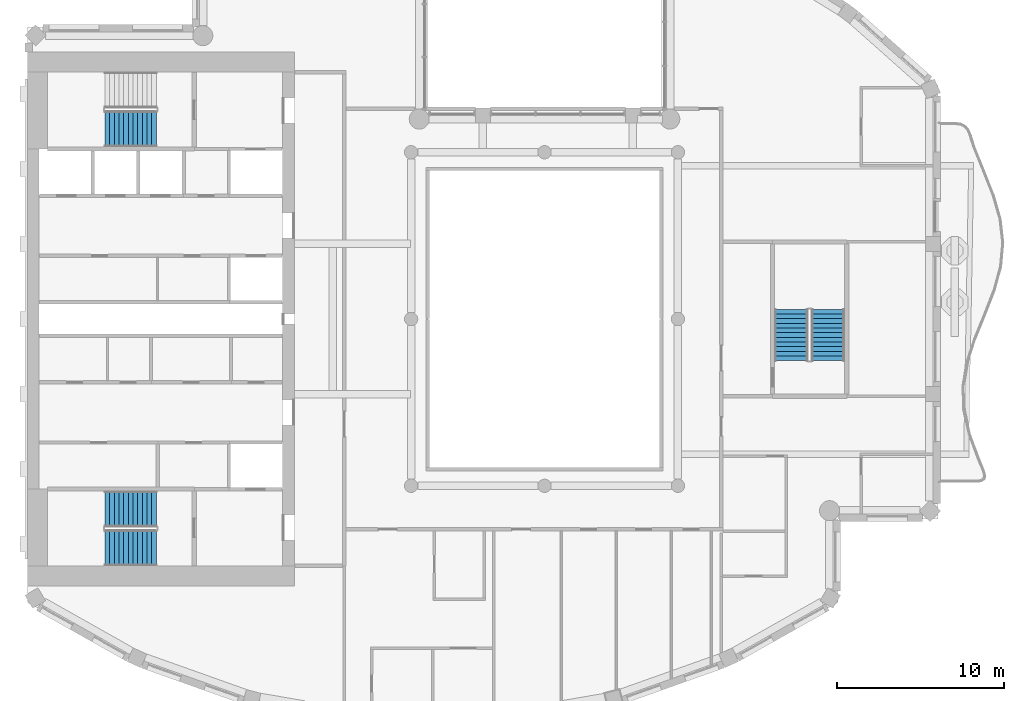
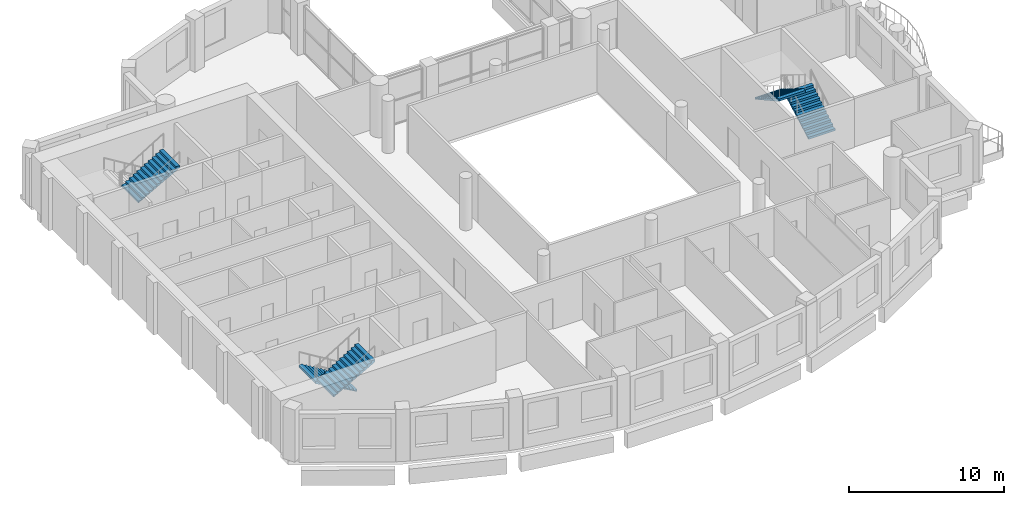
# One storey, part 8 of 14: 5 stair flights, 3 elements without a shape of their own.
"""IFC4 building model written with IfcOpenShell, lengths in metres."""

import ifcopenshell
import ifcopenshell.guid

model = None  # the IFC model being written
_history = None  # IfcOwnerHistory: only IFC2X3 demands one
_inside = {}  # id of a spatial element -> (the spatial element, [elements in it])
_under = {}  # id of a project, library or spatial element -> (it, [spatial elements below it])
_declared = {}  # id of a project -> (the project, [libraries it declares])
_typed = {}  # id of a type object -> (the type object, [elements of that type])
_made_of = {}  # id of a material, layer set ... -> (it, [elements and type objects made of it])


def new_model(schema):
    """Start an empty IFC model of exactly this schema.

    Asked for "IFC4X3", IfcOpenShell would pick the latest addendum, in which some entities
    have other attributes; the version numbers below select the first issue.
    IFC2X3 requires an IfcOwnerHistory on every rooted entity: one is made here for all.
    """
    global model, _history
    if schema == "IFC4X3":
        model = ifcopenshell.file(schema_version=(4, 3, 0, 0))
    else:
        model = ifcopenshell.file(schema=schema)
    _inside.clear()
    _under.clear()
    _declared.clear()
    _typed.clear()
    _made_of.clear()
    _history = None
    if model.schema == "IFC2X3":
        org = make("IfcOrganization", Name="unknown")
        user = make(
            "IfcPersonAndOrganization",
            ThePerson=make("IfcPerson", FamilyName="unknown"),
            TheOrganization=org,
        )
        app = make(
            "IfcApplication",
            ApplicationDeveloper=org,
            Version="unknown",
            ApplicationFullName="unknown",
            ApplicationIdentifier="unknown",
        )
        _history = make(
            "IfcOwnerHistory",
            OwningUser=user,
            OwningApplication=app,
            ChangeAction="ADDED",
            CreationDate=0,
        )
    return model


def make(cls, **values):
    """One entity of the class cls with the attributes given. An attribute that is None is left unset."""
    return model.create_entity(
        cls, **{name: value for name, value in values.items() if value is not None}
    )


def rooted(cls, **values):
    """An entity with a GlobalId (a new one), such as an element, a storey or a relation."""
    return make(cls, GlobalId=ifcopenshell.guid.new(), OwnerHistory=_history, **values)


def si_unit(unit_type, name, prefix=None):
    """IfcSIUnit, for example si_unit("LENGTHUNIT", "METRE", prefix="MILLI")."""
    return make("IfcSIUnit", UnitType=unit_type, Prefix=prefix, Name=name)


def assignment(units):
    """IfcUnitAssignment: the units of a project."""
    return None if units is None else make("IfcUnitAssignment", Units=units)


def point(xyz):
    """IfcCartesianPoint."""
    return None if xyz is None else make("IfcCartesianPoint", Coordinates=xyz)


def direction(xyz):
    """IfcDirection."""
    return None if xyz is None else make("IfcDirection", DirectionRatios=xyz)


def frame(location, z_axis=None, x_axis=None):
    """IfcAxis2Placement3D, a coordinate frame: its origin and axes. An axis left out is left unset."""
    return make(
        "IfcAxis2Placement3D",
        Location=point(location),
        Axis=direction(z_axis),
        RefDirection=direction(x_axis),
    )


def origin():
    """The frame at (0, 0, 0) with its axes left unset."""
    return frame((0.0, 0.0, 0.0))


def place(relative_to, where):
    """IfcLocalPlacement: puts the frame where relative to a parent placement (None: the world)."""
    return make(
        "IfcLocalPlacement", PlacementRelTo=relative_to, RelativePlacement=where
    )


def context(
    kind, dimensions, precision=None, world=None, true_north=None, identifier=None
):
    """IfcGeometricRepresentationContext, for example the 3D "Model" context."""
    return make(
        "IfcGeometricRepresentationContext",
        ContextIdentifier=identifier,
        ContextType=kind,
        CoordinateSpaceDimension=dimensions,
        Precision=precision,
        WorldCoordinateSystem=world,
        TrueNorth=true_north,
    )


def subcontext(parent, identifier, kind, view, scale=None):
    """IfcGeometricRepresentationSubContext, for example "Body" below "Model"."""
    return make(
        "IfcGeometricRepresentationSubContext",
        ContextIdentifier=identifier,
        ContextType=kind,
        ParentContext=parent,
        TargetScale=scale,
        TargetView=view,
    )


def project(units=None, contexts=None):
    """IfcProject with its units and contexts."""
    return rooted(
        "IfcProject",
        Name="project",
        RepresentationContexts=contexts,
        UnitsInContext=assignment(units),
    )


def spatial(cls, under=None, at=None, **own):
    """A site, building, storey or space (cls), placed at a placement, below another one or the project."""
    s = rooted(cls, ObjectPlacement=at, **own)
    if under is not None:
        _under.setdefault(under.id(), (under, []))[1].append(s)
    return s


def point_list(points):
    """IfcCartesianPointList2D or 3D."""
    cls = (
        "IfcCartesianPointList2D" if len(points[0]) == 2 else "IfcCartesianPointList3D"
    )
    return make(cls, CoordList=points)


def triangles(points, corners, closed=None, point_numbers=None):
    """IfcTriangulatedFaceSet: each triangle names its three corners, points numbered from 1."""
    return make(
        "IfcTriangulatedFaceSet",
        Coordinates=point_list(points),
        Closed=closed,
        CoordIndex=corners,
        PnIndex=point_numbers,
    )


def shape(context_of_items, identifier, shape_type, items):
    """IfcShapeRepresentation: the items that make up one representation, for example the "Body"."""
    return make(
        "IfcShapeRepresentation",
        ContextOfItems=context_of_items,
        RepresentationIdentifier=identifier,
        RepresentationType=shape_type,
        Items=items,
    )


def material(Name=None, Category=None):
    """IfcMaterial."""
    return make("IfcMaterial", Name=Name, Category=Category)


def made_of(thing, what):
    """Note that an element or type object is made of a material, layer set ...; save() writes the relation."""
    if what is not None:
        _made_of.setdefault(what.id(), (what, []))[1].append(thing)
    return thing


def type_object(cls, material=None, **own):
    """A type object (cls), such as IfcWallType, which elements share."""
    return made_of(rooted(cls, **own), material)


def element(
    cls,
    number,
    at=None,
    inside=None,
    cuts=None,
    type_object=None,
    material=None,
    context=None,
    identifier="Body",
    shape_type=None,
    held_by="IfcProductDefinitionShape",
    body=None,
    shapes=None,
    **own,
):
    """One element of the class cls, such as IfcWall. Its Tag is "e" and its number.

    at: its placement. inside: the storey or other place that contains it. cuts: it is an
    opening in that element (IfcRelVoidsElement). A single representation is given by context,
    identifier, shape_type and body (its items); several are given by shapes. held_by: the class
    of the entity that holds the representations. save() writes the other relations.
    """
    e = rooted(cls, Tag="e%d" % number, ObjectPlacement=at, **own)
    if body is not None:
        shapes = [shape(context, identifier, shape_type, body)]
    if shapes is not None:
        e.Representation = make(held_by, Representations=shapes)
    if inside is not None:
        _inside.setdefault(inside.id(), (inside, []))[1].append(e)
    if cuts is not None:
        rooted(
            "IfcRelVoidsElement", RelatingBuildingElement=cuts, RelatedOpeningElement=e
        )
    if type_object is not None:
        _typed.setdefault(type_object.id(), (type_object, []))[1].append(e)
    return made_of(e, material)


def aggregate(whole, parts):
    """IfcRelAggregates: a whole, such as a stair, and the parts it consists of."""
    return rooted("IfcRelAggregates", RelatingObject=whole, RelatedObjects=parts)


def save(model, path):
    """Write the relations noted so far, then the file.

    IfcRelAggregates (storeys below a building ...), IfcRelContainedInSpatialStructure (elements
    in a storey), IfcRelDefinesByType, IfcRelAssociatesMaterial and IfcRelDeclares: one each for
    every whole, place, type object, material and project.
    """
    for whole, parts in _under.values():
        aggregate(whole, parts)
    for where, things in _inside.values():
        rooted(
            "IfcRelContainedInSpatialStructure",
            RelatedElements=things,
            RelatingStructure=where,
        )
    for kind, things in _typed.values():
        rooted("IfcRelDefinesByType", RelatedObjects=things, RelatingType=kind)
    for what, things in _made_of.values():
        rooted("IfcRelAssociatesMaterial", RelatedObjects=things, RelatingMaterial=what)
    for by, libraries in _declared.values():
        rooted("IfcRelDeclares", RelatingContext=by, RelatedDefinitions=libraries)
    model.write(path)


model = new_model("IFC4")

# Units and contexts
model_context = context("Model", 3, precision=1e-05, world=origin(), true_north=direction((0.0, 1.0)))
body_context = subcontext(model_context, "Body", "Model", "MODEL_VIEW")
ifc_project = project(units=[si_unit("LENGTHUNIT", "METRE"), si_unit("AREAUNIT", "SQUARE_METRE"), si_unit("VOLUMEUNIT", "CUBIC_METRE"), si_unit("PLANEANGLEUNIT", "RADIAN"), si_unit("MASSUNIT", "GRAM", prefix="KILO")], contexts=[model_context])

# Site, building, storey
site_placement = place(None, origin())
site = spatial("IfcSite", under=ifc_project, at=site_placement, CompositionType="ELEMENT")
building_placement = place(site_placement, origin())
building = spatial("IfcBuilding", under=site, at=building_placement, Name="Cypress Arch Tower", CompositionType="ELEMENT")
storey_placement = place(building_placement, frame((0.0, 0.0, 325.39990234375)))
storey = spatial("IfcBuildingStorey", under=building, at=storey_placement, Name="L74", CompositionType="ELEMENT", Elevation=325.39990234375)

# Stair, stair flights
ifc_material_1 = material(Name="Concrete C40/50", Category="concrete")
stair_type_1 = type_object("IfcStairType", Name="Exit stair ES1708-200", PredefinedType="HALF_TURN_STAIR", material=ifc_material_1)
stair_1_placement = place(storey_placement, origin())
stair_1 = element("IfcStair", 1, at=stair_1_placement, inside=storey, type_object=stair_type_1, Name="L74 Exit stair C", PredefinedType="HALF_TURN_STAIR")
ifc_material_2 = material(Name="Concrete C40/50", Category="concrete")
stair_flight_type_1 = type_object("IfcStairFlightType", Name="Exit stair flight ES1708-200", PredefinedType="STRAIGHT", material=ifc_material_2)
stair_flight_1_placement = place(storey_placement, frame((18.0, -2.5, 0.0), z_axis=(0.0, 0.0, 1.0), x_axis=(0.0, 1.0, 0.0)))
stair_flight_1 = element("IfcStairFlight", 2, at=stair_flight_1_placement, type_object=stair_flight_type_1, Name="C flight 1", NumberOfRisers=12, NumberOfTreads=11, PredefinedType="STRAIGHT", RiserHeight=0.170833333, TreadLength=0.28, context=body_context, shape_type="Tessellation", body=[
    triangles([(0.0, -1.0, 0.0), (0.0, -1.0, 0.1708984375), (0.280029296875, -1.0, 0.1708984375), (0.280029296875, -1.0, 0.341552734375), (0.56005859375, -1.0, 0.341552734375), (0.56005859375, -1.0, 0.512451171875), (0.840087890625, -1.0, 0.512451171875), (0.840087890625, -1.0, 0.683349609375), (1.1201171875, -1.0, 0.683349609375), (1.1201171875, -1.0, 0.854248046875), (1.39990234375, -1.0, 0.854248046875), (1.39990234375, -1.0, 1.02490234375), (1.679931640625, -1.0, 1.02490234375), (1.679931640625, -1.0, 1.19580078125), (1.9599609375, -1.0, 1.19580078125), (1.9599609375, -1.0, 1.36669921875), (2.239990234375, -1.0, 1.36669921875), (2.239990234375, -1.0, 1.53759765625), (2.52001953125, -1.0, 1.53759765625), (2.52001953125, -1.0, 1.708251953125), (2.800048828125, -1.0, 1.708251953125), (2.800048828125, -1.0, 1.879150390625), (3.080078125, -1.0, 1.879150390625), (3.080078125, -1.0, 1.70361328125), (3.080078125, 1.0, 1.70361328125), (3.080078125, 1.0, 1.879150390625), (2.800048828125, 1.0, 1.879150390625), (2.800048828125, 1.0, 1.708251953125), (2.52001953125, 1.0, 1.708251953125), (2.52001953125, 1.0, 1.53759765625), (2.239990234375, 1.0, 1.53759765625), (2.239990234375, 1.0, 1.36669921875), (1.9599609375, 1.0, 1.36669921875), (1.9599609375, 1.0, 1.19580078125), (1.679931640625, 1.0, 1.19580078125), (1.679931640625, 1.0, 1.02490234375), (1.39990234375, 1.0, 1.02490234375), (1.39990234375, 1.0, 0.854248046875), (1.1201171875, 1.0, 0.854248046875), (1.1201171875, 1.0, 0.683349609375), (0.840087890625, 1.0, 0.683349609375), (0.840087890625, 1.0, 0.512451171875), (0.56005859375, 1.0, 0.512451171875), (0.56005859375, 1.0, 0.341552734375), (0.280029296875, 1.0, 0.341552734375), (0.280029296875, 1.0, 0.1708984375), (0.0, 1.0, 0.1708984375), (0.0, 1.0, 0.0), (3.080078125, 0.0, 1.879150390625), (3.080078125, 0.0, 1.70361328125), (2.800048828125, 0.0, 1.879150390625), (2.800048828125, 0.0, 1.708251953125), (2.52001953125, 0.0, 1.708251953125), (2.52001953125, 0.0, 1.53759765625), (2.239990234375, 0.0, 1.53759765625), (2.239990234375, 0.0, 1.36669921875), (1.9599609375, 0.0, 1.36669921875), (1.9599609375, 0.0, 1.19580078125), (1.679931640625, 0.0, 1.19580078125), (1.679931640625, 0.0, 1.02490234375), (1.39990234375, 0.0, 1.02490234375), (1.39990234375, 0.0, 0.854248046875), (1.1201171875, 0.0, 0.854248046875), (1.1201171875, 0.0, 0.683349609375), (0.840087890625, 0.0, 0.683349609375), (0.840087890625, 0.0, 0.512451171875), (0.56005859375, 0.0, 0.512451171875), (0.56005859375, 0.0, 0.341552734375), (0.280029296875, 0.0, 0.341552734375), (0.280029296875, 0.0, 0.1708984375), (0.0, 0.0, 0.1708984375), (0.0, 0.0, 0.0)], [[24, 23, 22], [11, 10, 9], [19, 18, 17], [17, 16, 15], [15, 14, 13], [9, 8, 7], [7, 6, 5], [3, 2, 1], [21, 20, 19], [13, 12, 11], [5, 4, 3], [24, 22, 21], [24, 21, 19], [24, 19, 17], [24, 17, 15], [24, 15, 13], [24, 13, 11], [24, 11, 9], [24, 9, 7], [24, 7, 5], [1, 24, 5], [5, 3, 1], [25, 27, 26], [38, 40, 39], [30, 32, 31], [32, 34, 33], [34, 36, 35], [40, 42, 41], [42, 44, 43], [46, 48, 47], [28, 30, 29], [36, 38, 37], [44, 46, 45], [25, 28, 27], [25, 30, 28], [25, 32, 30], [25, 34, 32], [25, 36, 34], [25, 38, 36], [25, 40, 38], [25, 42, 40], [25, 44, 42], [48, 44, 25], [44, 48, 46], [50, 49, 23], [50, 23, 24], [25, 26, 49], [25, 49, 50], [49, 51, 22], [49, 22, 23], [26, 27, 51], [26, 51, 49], [51, 52, 21], [51, 21, 22], [27, 28, 52], [27, 52, 51], [52, 53, 20], [52, 20, 21], [28, 29, 53], [28, 53, 52], [53, 54, 19], [53, 19, 20], [29, 30, 54], [29, 54, 53], [54, 55, 18], [54, 18, 19], [30, 31, 55], [30, 55, 54], [55, 56, 17], [55, 17, 18], [31, 32, 56], [31, 56, 55], [56, 57, 16], [56, 16, 17], [32, 33, 57], [32, 57, 56], [57, 58, 15], [57, 15, 16], [33, 34, 58], [33, 58, 57], [58, 59, 14], [58, 14, 15], [34, 35, 59], [34, 59, 58], [59, 60, 13], [59, 13, 14], [35, 36, 60], [35, 60, 59], [60, 61, 12], [60, 12, 13], [36, 37, 61], [36, 61, 60], [61, 62, 11], [61, 11, 12], [37, 38, 62], [37, 62, 61], [62, 63, 10], [62, 10, 11], [38, 39, 63], [38, 63, 62], [63, 64, 9], [63, 9, 10], [39, 40, 64], [39, 64, 63], [64, 65, 8], [64, 8, 9], [40, 41, 65], [40, 65, 64], [65, 66, 7], [65, 7, 8], [41, 42, 66], [41, 66, 65], [66, 67, 6], [66, 6, 7], [42, 43, 67], [42, 67, 66], [67, 68, 5], [67, 5, 6], [43, 44, 68], [43, 68, 67], [68, 69, 4], [68, 4, 5], [44, 45, 69], [44, 69, 68], [69, 70, 3], [69, 3, 4], [45, 46, 70], [45, 70, 69], [70, 71, 2], [70, 2, 3], [46, 47, 71], [46, 71, 70], [71, 72, 1], [71, 1, 2], [47, 48, 72], [47, 72, 71], [72, 50, 24], [72, 24, 1], [48, 25, 50], [48, 50, 72]], closed=True),
])
stair_flight_2_placement = place(storey_placement, frame((15.800048828125, 0.580078125, 2.050048828125), z_axis=(0.0, 0.0, 1.0), x_axis=(0.0, -1.0, 0.0)))
stair_flight_2 = element("IfcStairFlight", 3, at=stair_flight_2_placement, type_object=stair_flight_type_1, Name="C flight 2", NumberOfRisers=12, NumberOfTreads=11, PredefinedType="STRAIGHT", RiserHeight=0.170833333, TreadLength=0.28, context=body_context, shape_type="Tessellation", body=[
    triangles([(0.0, -1.0, 0.0), (0.0, -1.0, 0.1708984375), (0.280029296875, -1.0, 0.1708984375), (0.280029296875, -1.0, 0.341552734375), (0.56005859375, -1.0, 0.341552734375), (0.56005859375, -1.0, 0.512451171875), (0.840087890625, -1.0, 0.512451171875), (0.840087890625, -1.0, 0.683349609375), (1.1201171875, -1.0, 0.683349609375), (1.1201171875, -1.0, 0.854248046875), (1.39990234375, -1.0, 0.854248046875), (1.39990234375, -1.0, 1.02490234375), (1.679931640625, -1.0, 1.02490234375), (1.679931640625, -1.0, 1.19580078125), (1.9599609375, -1.0, 1.19580078125), (1.9599609375, -1.0, 1.36669921875), (2.239990234375, -1.0, 1.36669921875), (2.239990234375, -1.0, 1.53759765625), (2.52001953125, -1.0, 1.53759765625), (2.52001953125, -1.0, 1.708251953125), (2.800048828125, -1.0, 1.708251953125), (2.800048828125, -1.0, 1.879150390625), (3.080078125, -1.0, 1.879150390625), (3.080078125, -1.0, 1.70361328125), (3.080078125, 1.0, 1.70361328125), (3.080078125, 1.0, 1.879150390625), (2.800048828125, 1.0, 1.879150390625), (2.800048828125, 1.0, 1.708251953125), (2.52001953125, 1.0, 1.708251953125), (2.52001953125, 1.0, 1.53759765625), (2.239990234375, 1.0, 1.53759765625), (2.239990234375, 1.0, 1.36669921875), (1.9599609375, 1.0, 1.36669921875), (1.9599609375, 1.0, 1.19580078125), (1.679931640625, 1.0, 1.19580078125), (1.679931640625, 1.0, 1.02490234375), (1.39990234375, 1.0, 1.02490234375), (1.39990234375, 1.0, 0.854248046875), (1.1201171875, 1.0, 0.854248046875), (1.1201171875, 1.0, 0.683349609375), (0.840087890625, 1.0, 0.683349609375), (0.840087890625, 1.0, 0.512451171875), (0.56005859375, 1.0, 0.512451171875), (0.56005859375, 1.0, 0.341552734375), (0.280029296875, 1.0, 0.341552734375), (0.280029296875, 1.0, 0.1708984375), (0.0, 1.0, 0.1708984375), (0.0, 1.0, 0.0), (3.080078125, 0.0, 1.879150390625), (3.080078125, 0.0, 1.70361328125), (2.800048828125, 0.0, 1.879150390625), (2.800048828125, 0.0, 1.708251953125), (2.52001953125, 0.0, 1.708251953125), (2.52001953125, 0.0, 1.53759765625), (2.239990234375, 0.0, 1.53759765625), (2.239990234375, 0.0, 1.36669921875), (1.9599609375, 0.0, 1.36669921875), (1.9599609375, 0.0, 1.19580078125), (1.679931640625, 0.0, 1.19580078125), (1.679931640625, 0.0, 1.02490234375), (1.39990234375, 0.0, 1.02490234375), (1.39990234375, 0.0, 0.854248046875), (1.1201171875, 0.0, 0.854248046875), (1.1201171875, 0.0, 0.683349609375), (0.840087890625, 0.0, 0.683349609375), (0.840087890625, 0.0, 0.512451171875), (0.56005859375, 0.0, 0.512451171875), (0.56005859375, 0.0, 0.341552734375), (0.280029296875, 0.0, 0.341552734375), (0.280029296875, 0.0, 0.1708984375), (0.0, 0.0, 0.1708984375), (0.0, 0.0, 0.0)], [[24, 23, 22], [11, 10, 9], [19, 18, 17], [17, 16, 15], [15, 14, 13], [9, 8, 7], [7, 6, 5], [3, 2, 1], [21, 20, 19], [13, 12, 11], [5, 4, 3], [24, 22, 21], [24, 21, 19], [24, 19, 17], [24, 17, 15], [24, 15, 13], [24, 13, 11], [24, 11, 9], [24, 9, 7], [24, 7, 5], [1, 24, 5], [5, 3, 1], [25, 27, 26], [38, 40, 39], [30, 32, 31], [32, 34, 33], [34, 36, 35], [40, 42, 41], [42, 44, 43], [46, 48, 47], [28, 30, 29], [36, 38, 37], [44, 46, 45], [25, 28, 27], [25, 30, 28], [25, 32, 30], [25, 34, 32], [25, 36, 34], [25, 38, 36], [25, 40, 38], [25, 42, 40], [25, 44, 42], [48, 44, 25], [44, 48, 46], [50, 49, 23], [50, 23, 24], [25, 26, 49], [25, 49, 50], [49, 51, 22], [49, 22, 23], [26, 27, 51], [26, 51, 49], [51, 52, 21], [51, 21, 22], [27, 28, 52], [27, 52, 51], [52, 53, 20], [52, 20, 21], [28, 29, 53], [28, 53, 52], [53, 54, 19], [53, 19, 20], [29, 30, 54], [29, 54, 53], [54, 55, 18], [54, 18, 19], [30, 31, 55], [30, 55, 54], [55, 56, 17], [55, 17, 18], [31, 32, 56], [31, 56, 55], [56, 57, 16], [56, 16, 17], [32, 33, 57], [32, 57, 56], [57, 58, 15], [57, 15, 16], [33, 34, 58], [33, 58, 57], [58, 59, 14], [58, 14, 15], [34, 35, 59], [34, 59, 58], [59, 60, 13], [59, 13, 14], [35, 36, 60], [35, 60, 59], [60, 61, 12], [60, 12, 13], [36, 37, 61], [36, 61, 60], [61, 62, 11], [61, 11, 12], [37, 38, 62], [37, 62, 61], [62, 63, 10], [62, 10, 11], [38, 39, 63], [38, 63, 62], [63, 64, 9], [63, 9, 10], [39, 40, 64], [39, 64, 63], [64, 65, 8], [64, 8, 9], [40, 41, 65], [40, 65, 64], [65, 66, 7], [65, 7, 8], [41, 42, 66], [41, 66, 65], [66, 67, 6], [66, 6, 7], [42, 43, 67], [42, 67, 66], [67, 68, 5], [67, 5, 6], [43, 44, 68], [43, 68, 67], [68, 69, 4], [68, 4, 5], [44, 45, 69], [44, 69, 68], [69, 70, 3], [69, 3, 4], [45, 46, 70], [45, 70, 69], [70, 71, 2], [70, 2, 3], [46, 47, 71], [46, 71, 70], [71, 72, 1], [71, 1, 2], [47, 48, 72], [47, 72, 71], [72, 50, 24], [72, 24, 1], [48, 25, 50], [48, 50, 72]], closed=True),
])
aggregate(stair_1, [stair_flight_1, stair_flight_2])

ifc_material_3 = material(Name="Concrete C40/50", Category="concrete")
stair_type_2 = type_object("IfcStairType", Name="Exit stair ES1708-215", PredefinedType="HALF_TURN_STAIR", material=ifc_material_3)
stair_2_placement = place(storey_placement, origin())
stair_2 = element("IfcStair", 4, at=stair_2_placement, inside=storey, type_object=stair_type_2, Name="L74 Exit stair A", PredefinedType="HALF_TURN_STAIR")
ifc_material_4 = material(Name="Concrete C40/50", Category="concrete")
stair_flight_type_2 = type_object("IfcStairFlightType", Name="Exit stair flight ES1708-215", PredefinedType="STRAIGHT", material=ifc_material_4)
stair_flight_3_placement = place(storey_placement, frame((-22.27490234375, -11.39990234375, 0.0), z_axis=(0.0, 0.0, 1.0), x_axis=(-1.0, 0.0, 0.0)))
stair_flight_3 = element("IfcStairFlight", 5, at=stair_flight_3_placement, type_object=stair_flight_type_2, Name="A flight 1", NumberOfRisers=12, NumberOfTreads=11, PredefinedType="STRAIGHT", RiserHeight=0.170833333, TreadLength=0.28, context=body_context, shape_type="Tessellation", body=[
    triangles([(0.0, -1.074951171875, 0.0), (0.000244140625, -1.074951171875, 0.01904296875), (0.000244140625, -1.074951171875, 0.0380859375), (0.00048828125, -1.074951171875, 0.056884765625), (0.00048828125, -1.074951171875, 0.075927734375), (0.00048828125, -1.074951171875, 0.094970703125), (0.00048828125, -1.074951171875, 0.114013671875), (0.000244140625, -1.074951171875, 0.1328125), (0.000244140625, -1.074951171875, 0.15185546875), (0.0, -1.074951171875, 0.1708984375), (0.280029296875, -1.074951171875, 0.1708984375), (0.280029296875, -1.074951171875, 0.341552734375), (0.56005859375, -1.074951171875, 0.341552734375), (0.56005859375, -1.074951171875, 0.512451171875), (0.840087890625, -1.074951171875, 0.512451171875), (0.840087890625, -1.074951171875, 0.683349609375), (1.1201171875, -1.074951171875, 0.683349609375), (1.1201171875, -1.074951171875, 0.854248046875), (1.39990234375, -1.074951171875, 0.854248046875), (1.39990234375, -1.074951171875, 1.02490234375), (1.679931640625, -1.074951171875, 1.02490234375), (1.679931640625, -1.074951171875, 1.19580078125), (1.9599609375, -1.074951171875, 1.19580078125), (1.9599609375, -1.074951171875, 1.36669921875), (2.239990234375, -1.074951171875, 1.36669921875), (2.239990234375, -1.074951171875, 1.53759765625), (2.52001953125, -1.074951171875, 1.53759765625), (2.52001953125, -1.074951171875, 1.708251953125), (2.800048828125, -1.074951171875, 1.708251953125), (2.800048828125, -1.074951171875, 1.879150390625), (3.080078125, -1.074951171875, 1.879150390625), (3.079833984375, -1.074951171875, 1.859619140625), (3.079833984375, -1.074951171875, 1.840087890625), (3.07958984375, -1.074951171875, 1.820556640625), (3.07958984375, -1.074951171875, 1.801025390625), (3.07958984375, -1.074951171875, 1.78173828125), (3.07958984375, -1.074951171875, 1.76220703125), (3.079833984375, -1.074951171875, 1.74267578125), (3.079833984375, -1.074951171875, 1.72314453125), (3.080078125, -1.074951171875, 1.70361328125), (3.080078125, 1.074951171875, 1.70361328125), (3.079833984375, 1.074951171875, 1.72314453125), (3.079833984375, 1.074951171875, 1.74267578125), (3.07958984375, 1.074951171875, 1.76220703125), (3.07958984375, 1.074951171875, 1.78173828125), (3.07958984375, 1.074951171875, 1.801025390625), (3.07958984375, 1.074951171875, 1.820556640625), (3.079833984375, 1.074951171875, 1.840087890625), (3.079833984375, 1.074951171875, 1.859619140625), (3.080078125, 1.074951171875, 1.879150390625), (2.800048828125, 1.074951171875, 1.879150390625), (2.800048828125, 1.074951171875, 1.708251953125), (2.52001953125, 1.074951171875, 1.708251953125), (2.52001953125, 1.074951171875, 1.53759765625), (2.239990234375, 1.074951171875, 1.53759765625), (2.239990234375, 1.074951171875, 1.36669921875), (1.9599609375, 1.074951171875, 1.36669921875), (1.9599609375, 1.074951171875, 1.19580078125), (1.679931640625, 1.074951171875, 1.19580078125), (1.679931640625, 1.074951171875, 1.02490234375), (1.39990234375, 1.074951171875, 1.02490234375), (1.39990234375, 1.074951171875, 0.854248046875), (1.1201171875, 1.074951171875, 0.854248046875), (1.1201171875, 1.074951171875, 0.683349609375), (0.840087890625, 1.074951171875, 0.683349609375), (0.840087890625, 1.074951171875, 0.512451171875), (0.56005859375, 1.074951171875, 0.512451171875), (0.56005859375, 1.074951171875, 0.341552734375), (0.280029296875, 1.074951171875, 0.341552734375), (0.280029296875, 1.074951171875, 0.1708984375), (0.0, 1.074951171875, 0.1708984375), (0.000244140625, 1.074951171875, 0.15185546875), (0.000244140625, 1.074951171875, 0.1328125), (0.00048828125, 1.074951171875, 0.114013671875), (0.00048828125, 1.074951171875, 0.094970703125), (0.00048828125, 1.074951171875, 0.075927734375), (0.00048828125, 1.074951171875, 0.056884765625), (0.000244140625, 1.074951171875, 0.0380859375), (0.000244140625, 1.074951171875, 0.01904296875), (0.0, 1.074951171875, 0.0)], [[40, 39, 30], [39, 38, 30], [38, 37, 30], [37, 36, 30], [36, 35, 30], [35, 34, 30], [34, 33, 30], [33, 32, 30], [32, 31, 30], [19, 18, 17], [27, 26, 25], [25, 24, 23], [23, 22, 21], [17, 16, 15], [15, 14, 13], [10, 9, 11], [9, 8, 11], [8, 7, 11], [7, 6, 11], [6, 5, 11], [5, 4, 11], [4, 3, 11], [3, 2, 11], [2, 1, 11], [29, 28, 27], [21, 20, 19], [13, 12, 11], [40, 30, 29], [40, 29, 27], [40, 27, 25], [40, 25, 23], [40, 23, 21], [40, 21, 19], [40, 19, 17], [40, 17, 15], [40, 15, 13], [1, 40, 13], [13, 11, 1], [41, 51, 42], [42, 51, 43], [43, 51, 44], [44, 51, 45], [45, 51, 46], [46, 51, 47], [47, 51, 48], [48, 51, 49], [49, 51, 50], [62, 64, 63], [54, 56, 55], [56, 58, 57], [58, 60, 59], [64, 66, 65], [66, 68, 67], [71, 70, 72], [72, 70, 73], [73, 70, 74], [74, 70, 75], [75, 70, 76], [76, 70, 77], [77, 70, 78], [78, 70, 79], [79, 70, 80], [52, 54, 53], [60, 62, 61], [68, 70, 69], [41, 52, 51], [41, 54, 52], [41, 56, 54], [41, 58, 56], [41, 60, 58], [41, 62, 60], [41, 64, 62], [41, 66, 64], [41, 68, 66], [80, 68, 41], [68, 80, 70], [41, 42, 39], [41, 39, 40], [42, 43, 38], [42, 38, 39], [43, 44, 37], [43, 37, 38], [44, 45, 36], [44, 36, 37], [45, 46, 35], [45, 35, 36], [46, 47, 34], [46, 34, 35], [47, 48, 33], [47, 33, 34], [48, 49, 32], [48, 32, 33], [49, 50, 31], [49, 31, 32], [50, 51, 30], [50, 30, 31], [51, 52, 29], [51, 29, 30], [52, 53, 28], [52, 28, 29], [53, 54, 27], [53, 27, 28], [54, 55, 26], [54, 26, 27], [55, 56, 25], [55, 25, 26], [56, 57, 24], [56, 24, 25], [57, 58, 23], [57, 23, 24], [58, 59, 22], [58, 22, 23], [59, 60, 21], [59, 21, 22], [60, 61, 20], [60, 20, 21], [61, 62, 19], [61, 19, 20], [62, 63, 18], [62, 18, 19], [63, 64, 17], [63, 17, 18], [64, 65, 16], [64, 16, 17], [65, 66, 15], [65, 15, 16], [66, 67, 14], [66, 14, 15], [67, 68, 13], [67, 13, 14], [68, 69, 12], [68, 12, 13], [69, 70, 11], [69, 11, 12], [70, 71, 10], [70, 10, 11], [71, 72, 9], [71, 9, 10], [72, 73, 8], [72, 8, 9], [73, 74, 7], [73, 7, 8], [74, 75, 6], [74, 6, 7], [75, 76, 5], [75, 5, 6], [76, 77, 4], [76, 4, 5], [77, 78, 3], [77, 3, 4], [78, 79, 2], [78, 2, 3], [79, 80, 1], [79, 1, 2], [80, 41, 40], [80, 40, 1]], closed=True),
])
stair_flight_4_placement = place(storey_placement, frame((-25.35498046875, -13.72509765625, 2.050048828125), z_axis=(0.0, 0.0, 1.0), x_axis=(1.0, 0.0, 0.0)))
stair_flight_4 = element("IfcStairFlight", 6, at=stair_flight_4_placement, type_object=stair_flight_type_2, Name="A flight 2", NumberOfRisers=12, NumberOfTreads=11, PredefinedType="STRAIGHT", RiserHeight=0.170833333, TreadLength=0.28, context=body_context, shape_type="Tessellation", body=[
    triangles([(0.0, -1.074951171875, 0.0), (0.000244140625, -1.074951171875, 0.01904296875), (0.000244140625, -1.074951171875, 0.0380859375), (0.00048828125, -1.074951171875, 0.056884765625), (0.00048828125, -1.074951171875, 0.075927734375), (0.00048828125, -1.074951171875, 0.094970703125), (0.00048828125, -1.074951171875, 0.114013671875), (0.000244140625, -1.074951171875, 0.1328125), (0.000244140625, -1.074951171875, 0.15185546875), (0.0, -1.074951171875, 0.1708984375), (0.280029296875, -1.074951171875, 0.1708984375), (0.280029296875, -1.074951171875, 0.341552734375), (0.56005859375, -1.074951171875, 0.341552734375), (0.56005859375, -1.074951171875, 0.512451171875), (0.840087890625, -1.074951171875, 0.512451171875), (0.840087890625, -1.074951171875, 0.683349609375), (1.1201171875, -1.074951171875, 0.683349609375), (1.1201171875, -1.074951171875, 0.854248046875), (1.39990234375, -1.074951171875, 0.854248046875), (1.39990234375, -1.074951171875, 1.02490234375), (1.679931640625, -1.074951171875, 1.02490234375), (1.679931640625, -1.074951171875, 1.19580078125), (1.9599609375, -1.074951171875, 1.19580078125), (1.9599609375, -1.074951171875, 1.36669921875), (2.239990234375, -1.074951171875, 1.36669921875), (2.239990234375, -1.074951171875, 1.53759765625), (2.52001953125, -1.074951171875, 1.53759765625), (2.52001953125, -1.074951171875, 1.708251953125), (2.800048828125, -1.074951171875, 1.708251953125), (2.800048828125, -1.074951171875, 1.879150390625), (3.080078125, -1.074951171875, 1.879150390625), (3.079833984375, -1.074951171875, 1.859619140625), (3.079833984375, -1.074951171875, 1.840087890625), (3.07958984375, -1.074951171875, 1.820556640625), (3.07958984375, -1.074951171875, 1.801025390625), (3.07958984375, -1.074951171875, 1.78173828125), (3.07958984375, -1.074951171875, 1.76220703125), (3.079833984375, -1.074951171875, 1.74267578125), (3.079833984375, -1.074951171875, 1.72314453125), (3.080078125, -1.074951171875, 1.70361328125), (3.080078125, 1.074951171875, 1.70361328125), (3.079833984375, 1.074951171875, 1.72314453125), (3.079833984375, 1.074951171875, 1.74267578125), (3.07958984375, 1.074951171875, 1.76220703125), (3.07958984375, 1.074951171875, 1.78173828125), (3.07958984375, 1.074951171875, 1.801025390625), (3.07958984375, 1.074951171875, 1.820556640625), (3.079833984375, 1.074951171875, 1.840087890625), (3.079833984375, 1.074951171875, 1.859619140625), (3.080078125, 1.074951171875, 1.879150390625), (2.800048828125, 1.074951171875, 1.879150390625), (2.800048828125, 1.074951171875, 1.708251953125), (2.52001953125, 1.074951171875, 1.708251953125), (2.52001953125, 1.074951171875, 1.53759765625), (2.239990234375, 1.074951171875, 1.53759765625), (2.239990234375, 1.074951171875, 1.36669921875), (1.9599609375, 1.074951171875, 1.36669921875), (1.9599609375, 1.074951171875, 1.19580078125), (1.679931640625, 1.074951171875, 1.19580078125), (1.679931640625, 1.074951171875, 1.02490234375), (1.39990234375, 1.074951171875, 1.02490234375), (1.39990234375, 1.074951171875, 0.854248046875), (1.1201171875, 1.074951171875, 0.854248046875), (1.1201171875, 1.074951171875, 0.683349609375), (0.840087890625, 1.074951171875, 0.683349609375), (0.840087890625, 1.074951171875, 0.512451171875), (0.56005859375, 1.074951171875, 0.512451171875), (0.56005859375, 1.074951171875, 0.341552734375), (0.280029296875, 1.074951171875, 0.341552734375), (0.280029296875, 1.074951171875, 0.1708984375), (0.0, 1.074951171875, 0.1708984375), (0.000244140625, 1.074951171875, 0.15185546875), (0.000244140625, 1.074951171875, 0.1328125), (0.00048828125, 1.074951171875, 0.114013671875), (0.00048828125, 1.074951171875, 0.094970703125), (0.00048828125, 1.074951171875, 0.075927734375), (0.00048828125, 1.074951171875, 0.056884765625), (0.000244140625, 1.074951171875, 0.0380859375), (0.000244140625, 1.074951171875, 0.01904296875), (0.0, 1.074951171875, 0.0)], [[40, 39, 30], [39, 38, 30], [38, 37, 30], [37, 36, 30], [36, 35, 30], [35, 34, 30], [34, 33, 30], [33, 32, 30], [32, 31, 30], [19, 18, 17], [27, 26, 25], [25, 24, 23], [23, 22, 21], [17, 16, 15], [15, 14, 13], [10, 9, 11], [9, 8, 11], [8, 7, 11], [7, 6, 11], [6, 5, 11], [5, 4, 11], [4, 3, 11], [3, 2, 11], [2, 1, 11], [29, 28, 27], [21, 20, 19], [13, 12, 11], [40, 30, 29], [40, 29, 27], [40, 27, 25], [40, 25, 23], [40, 23, 21], [40, 21, 19], [40, 19, 17], [40, 17, 15], [40, 15, 13], [1, 40, 13], [13, 11, 1], [41, 51, 42], [42, 51, 43], [43, 51, 44], [44, 51, 45], [45, 51, 46], [46, 51, 47], [47, 51, 48], [48, 51, 49], [49, 51, 50], [62, 64, 63], [54, 56, 55], [56, 58, 57], [58, 60, 59], [64, 66, 65], [66, 68, 67], [71, 70, 72], [72, 70, 73], [73, 70, 74], [74, 70, 75], [75, 70, 76], [76, 70, 77], [77, 70, 78], [78, 70, 79], [79, 70, 80], [52, 54, 53], [60, 62, 61], [68, 70, 69], [41, 52, 51], [41, 54, 52], [41, 56, 54], [41, 58, 56], [41, 60, 58], [41, 62, 60], [41, 64, 62], [41, 66, 64], [41, 68, 66], [80, 68, 41], [68, 80, 70], [41, 42, 39], [41, 39, 40], [42, 43, 38], [42, 38, 39], [43, 44, 37], [43, 37, 38], [44, 45, 36], [44, 36, 37], [45, 46, 35], [45, 35, 36], [46, 47, 34], [46, 34, 35], [47, 48, 33], [47, 33, 34], [48, 49, 32], [48, 32, 33], [49, 50, 31], [49, 31, 32], [50, 51, 30], [50, 30, 31], [51, 52, 29], [51, 29, 30], [52, 53, 28], [52, 28, 29], [53, 54, 27], [53, 27, 28], [54, 55, 26], [54, 26, 27], [55, 56, 25], [55, 25, 26], [56, 57, 24], [56, 24, 25], [57, 58, 23], [57, 23, 24], [58, 59, 22], [58, 22, 23], [59, 60, 21], [59, 21, 22], [60, 61, 20], [60, 20, 21], [61, 62, 19], [61, 19, 20], [62, 63, 18], [62, 18, 19], [63, 64, 17], [63, 17, 18], [64, 65, 16], [64, 16, 17], [65, 66, 15], [65, 15, 16], [66, 67, 14], [66, 14, 15], [67, 68, 13], [67, 13, 14], [68, 69, 12], [68, 12, 13], [69, 70, 11], [69, 11, 12], [70, 71, 10], [70, 10, 11], [71, 72, 9], [71, 9, 10], [72, 73, 8], [72, 8, 9], [73, 74, 7], [73, 7, 8], [74, 75, 6], [74, 6, 7], [75, 76, 5], [75, 5, 6], [76, 77, 4], [76, 4, 5], [77, 78, 3], [77, 3, 4], [78, 79, 2], [78, 2, 3], [79, 80, 1], [79, 1, 2], [80, 41, 40], [80, 40, 1]], closed=True),
])
aggregate(stair_2, [stair_flight_3, stair_flight_4])

# Stair, stair flight
stair_3_placement = place(storey_placement, origin())
stair_3 = element("IfcStair", 7, at=stair_3_placement, inside=storey, type_object=stair_type_2, Name="L74 Exit stair B", PredefinedType="HALF_TURN_STAIR")
stair_flight_5_placement = place(storey_placement, frame((-25.35498046875, 11.39990234375, 2.050048828125), z_axis=(0.0, 0.0, 1.0), x_axis=(1.0, 0.0, 0.0)))
stair_flight_5 = element("IfcStairFlight", 8, at=stair_flight_5_placement, type_object=stair_flight_type_2, Name="B flight 2", NumberOfRisers=12, NumberOfTreads=11, PredefinedType="STRAIGHT", RiserHeight=0.170833333, TreadLength=0.28, context=body_context, shape_type="Tessellation", body=[
    triangles([(0.0, -1.074951171875, 0.0), (0.000244140625, -1.074951171875, 0.01904296875), (0.000244140625, -1.074951171875, 0.0380859375), (0.00048828125, -1.074951171875, 0.056884765625), (0.00048828125, -1.074951171875, 0.075927734375), (0.00048828125, -1.074951171875, 0.094970703125), (0.00048828125, -1.074951171875, 0.114013671875), (0.000244140625, -1.074951171875, 0.1328125), (0.000244140625, -1.074951171875, 0.15185546875), (0.0, -1.074951171875, 0.1708984375), (0.280029296875, -1.074951171875, 0.1708984375), (0.280029296875, -1.074951171875, 0.341552734375), (0.56005859375, -1.074951171875, 0.341552734375), (0.56005859375, -1.074951171875, 0.512451171875), (0.840087890625, -1.074951171875, 0.512451171875), (0.840087890625, -1.074951171875, 0.683349609375), (1.1201171875, -1.074951171875, 0.683349609375), (1.1201171875, -1.074951171875, 0.854248046875), (1.39990234375, -1.074951171875, 0.854248046875), (1.39990234375, -1.074951171875, 1.02490234375), (1.679931640625, -1.074951171875, 1.02490234375), (1.679931640625, -1.074951171875, 1.19580078125), (1.9599609375, -1.074951171875, 1.19580078125), (1.9599609375, -1.074951171875, 1.36669921875), (2.239990234375, -1.074951171875, 1.36669921875), (2.239990234375, -1.074951171875, 1.53759765625), (2.52001953125, -1.074951171875, 1.53759765625), (2.52001953125, -1.074951171875, 1.708251953125), (2.800048828125, -1.074951171875, 1.708251953125), (2.800048828125, -1.074951171875, 1.879150390625), (3.080078125, -1.074951171875, 1.879150390625), (3.079833984375, -1.074951171875, 1.859619140625), (3.079833984375, -1.074951171875, 1.840087890625), (3.07958984375, -1.074951171875, 1.820556640625), (3.07958984375, -1.074951171875, 1.801025390625), (3.07958984375, -1.074951171875, 1.78173828125), (3.07958984375, -1.074951171875, 1.76220703125), (3.079833984375, -1.074951171875, 1.74267578125), (3.079833984375, -1.074951171875, 1.72314453125), (3.080078125, -1.074951171875, 1.70361328125), (3.080078125, 1.074951171875, 1.70361328125), (3.079833984375, 1.074951171875, 1.72314453125), (3.079833984375, 1.074951171875, 1.74267578125), (3.07958984375, 1.074951171875, 1.76220703125), (3.07958984375, 1.074951171875, 1.78173828125), (3.07958984375, 1.074951171875, 1.801025390625), (3.07958984375, 1.074951171875, 1.820556640625), (3.079833984375, 1.074951171875, 1.840087890625), (3.079833984375, 1.074951171875, 1.859619140625), (3.080078125, 1.074951171875, 1.879150390625), (2.800048828125, 1.074951171875, 1.879150390625), (2.800048828125, 1.074951171875, 1.708251953125), (2.52001953125, 1.074951171875, 1.708251953125), (2.52001953125, 1.074951171875, 1.53759765625), (2.239990234375, 1.074951171875, 1.53759765625), (2.239990234375, 1.074951171875, 1.36669921875), (1.9599609375, 1.074951171875, 1.36669921875), (1.9599609375, 1.074951171875, 1.19580078125), (1.679931640625, 1.074951171875, 1.19580078125), (1.679931640625, 1.074951171875, 1.02490234375), (1.39990234375, 1.074951171875, 1.02490234375), (1.39990234375, 1.074951171875, 0.854248046875), (1.1201171875, 1.074951171875, 0.854248046875), (1.1201171875, 1.074951171875, 0.683349609375), (0.840087890625, 1.074951171875, 0.683349609375), (0.840087890625, 1.074951171875, 0.512451171875), (0.56005859375, 1.074951171875, 0.512451171875), (0.56005859375, 1.074951171875, 0.341552734375), (0.280029296875, 1.074951171875, 0.341552734375), (0.280029296875, 1.074951171875, 0.1708984375), (0.0, 1.074951171875, 0.1708984375), (0.000244140625, 1.074951171875, 0.15185546875), (0.000244140625, 1.074951171875, 0.1328125), (0.00048828125, 1.074951171875, 0.114013671875), (0.00048828125, 1.074951171875, 0.094970703125), (0.00048828125, 1.074951171875, 0.075927734375), (0.00048828125, 1.074951171875, 0.056884765625), (0.000244140625, 1.074951171875, 0.0380859375), (0.000244140625, 1.074951171875, 0.01904296875), (0.0, 1.074951171875, 0.0)], [[40, 39, 30], [39, 38, 30], [38, 37, 30], [37, 36, 30], [36, 35, 30], [35, 34, 30], [34, 33, 30], [33, 32, 30], [32, 31, 30], [19, 18, 17], [27, 26, 25], [25, 24, 23], [23, 22, 21], [17, 16, 15], [15, 14, 13], [10, 9, 11], [9, 8, 11], [8, 7, 11], [7, 6, 11], [6, 5, 11], [5, 4, 11], [4, 3, 11], [3, 2, 11], [2, 1, 11], [29, 28, 27], [21, 20, 19], [13, 12, 11], [40, 30, 29], [40, 29, 27], [40, 27, 25], [40, 25, 23], [40, 23, 21], [40, 21, 19], [40, 19, 17], [40, 17, 15], [40, 15, 13], [1, 40, 13], [13, 11, 1], [41, 51, 42], [42, 51, 43], [43, 51, 44], [44, 51, 45], [45, 51, 46], [46, 51, 47], [47, 51, 48], [48, 51, 49], [49, 51, 50], [62, 64, 63], [54, 56, 55], [56, 58, 57], [58, 60, 59], [64, 66, 65], [66, 68, 67], [71, 70, 72], [72, 70, 73], [73, 70, 74], [74, 70, 75], [75, 70, 76], [76, 70, 77], [77, 70, 78], [78, 70, 79], [79, 70, 80], [52, 54, 53], [60, 62, 61], [68, 70, 69], [41, 52, 51], [41, 54, 52], [41, 56, 54], [41, 58, 56], [41, 60, 58], [41, 62, 60], [41, 64, 62], [41, 66, 64], [41, 68, 66], [80, 68, 41], [68, 80, 70], [41, 42, 39], [41, 39, 40], [42, 43, 38], [42, 38, 39], [43, 44, 37], [43, 37, 38], [44, 45, 36], [44, 36, 37], [45, 46, 35], [45, 35, 36], [46, 47, 34], [46, 34, 35], [47, 48, 33], [47, 33, 34], [48, 49, 32], [48, 32, 33], [49, 50, 31], [49, 31, 32], [50, 51, 30], [50, 30, 31], [51, 52, 29], [51, 29, 30], [52, 53, 28], [52, 28, 29], [53, 54, 27], [53, 27, 28], [54, 55, 26], [54, 26, 27], [55, 56, 25], [55, 25, 26], [56, 57, 24], [56, 24, 25], [57, 58, 23], [57, 23, 24], [58, 59, 22], [58, 22, 23], [59, 60, 21], [59, 21, 22], [60, 61, 20], [60, 20, 21], [61, 62, 19], [61, 19, 20], [62, 63, 18], [62, 18, 19], [63, 64, 17], [63, 17, 18], [64, 65, 16], [64, 16, 17], [65, 66, 15], [65, 15, 16], [66, 67, 14], [66, 14, 15], [67, 68, 13], [67, 13, 14], [68, 69, 12], [68, 12, 13], [69, 70, 11], [69, 11, 12], [70, 71, 10], [70, 10, 11], [71, 72, 9], [71, 9, 10], [72, 73, 8], [72, 8, 9], [73, 74, 7], [73, 7, 8], [74, 75, 6], [74, 6, 7], [75, 76, 5], [75, 5, 6], [76, 77, 4], [76, 4, 5], [77, 78, 3], [77, 3, 4], [78, 79, 2], [78, 2, 3], [79, 80, 1], [79, 1, 2], [80, 41, 40], [80, 40, 1]], closed=True),
])
aggregate(stair_3, [stair_flight_5])

save(model, "model.ifc")
